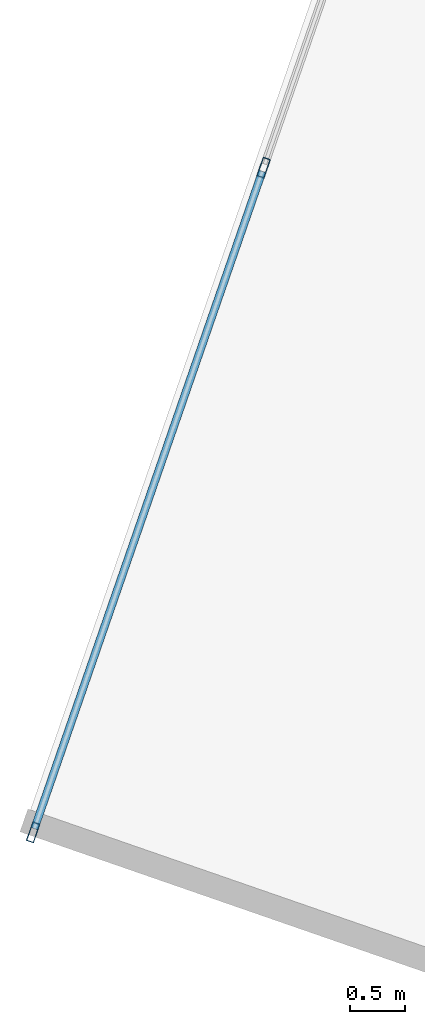
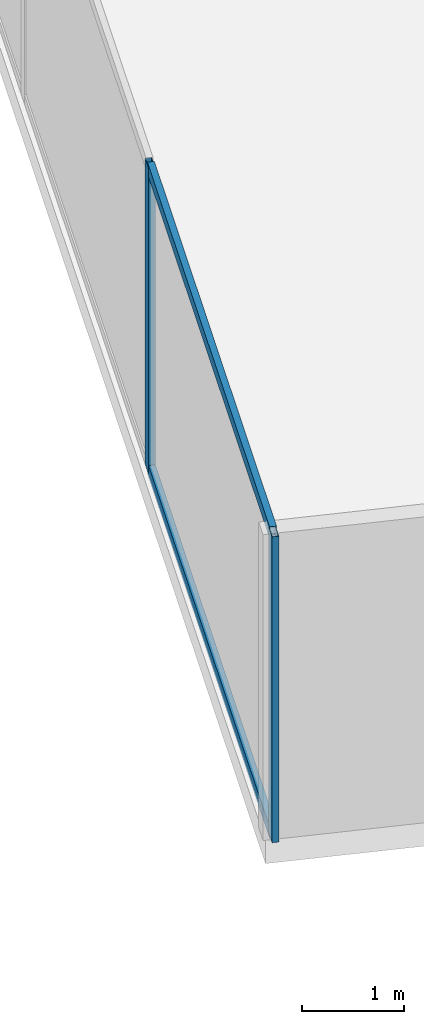
# One storey, part 6 of 27: 4 members, 1 element without a shape of its own.
"""IFC4 building model written with IfcOpenShell, lengths in metres."""

import ifcopenshell
import ifcopenshell.guid

model = None  # the IFC model being written
_history = None  # IfcOwnerHistory: only IFC2X3 demands one
_inside = {}  # id of a spatial element -> (the spatial element, [elements in it])
_under = {}  # id of a project, library or spatial element -> (it, [spatial elements below it])
_declared = {}  # id of a project -> (the project, [libraries it declares])
_typed = {}  # id of a type object -> (the type object, [elements of that type])
_made_of = {}  # id of a material, layer set ... -> (it, [elements and type objects made of it])


def new_model(schema):
    """Start an empty IFC model of exactly this schema.

    Asked for "IFC4X3", IfcOpenShell would pick the latest addendum, in which some entities
    have other attributes; the version numbers below select the first issue.
    IFC2X3 requires an IfcOwnerHistory on every rooted entity: one is made here for all.
    """
    global model, _history
    if schema == "IFC4X3":
        model = ifcopenshell.file(schema_version=(4, 3, 0, 0))
    else:
        model = ifcopenshell.file(schema=schema)
    _inside.clear()
    _under.clear()
    _declared.clear()
    _typed.clear()
    _made_of.clear()
    _history = None
    if model.schema == "IFC2X3":
        org = make("IfcOrganization", Name="unknown")
        user = make(
            "IfcPersonAndOrganization",
            ThePerson=make("IfcPerson", FamilyName="unknown"),
            TheOrganization=org,
        )
        app = make(
            "IfcApplication",
            ApplicationDeveloper=org,
            Version="unknown",
            ApplicationFullName="unknown",
            ApplicationIdentifier="unknown",
        )
        _history = make(
            "IfcOwnerHistory",
            OwningUser=user,
            OwningApplication=app,
            ChangeAction="ADDED",
            CreationDate=0,
        )
    return model


def make(cls, **values):
    """One entity of the class cls with the attributes given. An attribute that is None is left unset."""
    return model.create_entity(
        cls, **{name: value for name, value in values.items() if value is not None}
    )


def rooted(cls, **values):
    """An entity with a GlobalId (a new one), such as an element, a storey or a relation."""
    return make(cls, GlobalId=ifcopenshell.guid.new(), OwnerHistory=_history, **values)


def si_unit(unit_type, name, prefix=None):
    """IfcSIUnit, for example si_unit("LENGTHUNIT", "METRE", prefix="MILLI")."""
    return make("IfcSIUnit", UnitType=unit_type, Prefix=prefix, Name=name)


def assignment(units):
    """IfcUnitAssignment: the units of a project."""
    return None if units is None else make("IfcUnitAssignment", Units=units)


def point(xyz):
    """IfcCartesianPoint."""
    return None if xyz is None else make("IfcCartesianPoint", Coordinates=xyz)


def direction(xyz):
    """IfcDirection."""
    return None if xyz is None else make("IfcDirection", DirectionRatios=xyz)


def frame(location, z_axis=None, x_axis=None):
    """IfcAxis2Placement3D, a coordinate frame: its origin and axes. An axis left out is left unset."""
    return make(
        "IfcAxis2Placement3D",
        Location=point(location),
        Axis=direction(z_axis),
        RefDirection=direction(x_axis),
    )


def frame_2d(location, x_axis=None):
    """IfcAxis2Placement2D, a coordinate frame in the plane: its origin and x axis."""
    return make(
        "IfcAxis2Placement2D", Location=point(location), RefDirection=direction(x_axis)
    )


def origin():
    """The frame at (0, 0, 0) with its axes left unset."""
    return frame((0.0, 0.0, 0.0))


def origin_2d():
    """The frame at (0, 0) in the plane with its x axis left unset."""
    return frame_2d((0.0, 0.0))


def place(relative_to, where):
    """IfcLocalPlacement: puts the frame where relative to a parent placement (None: the world)."""
    return make(
        "IfcLocalPlacement", PlacementRelTo=relative_to, RelativePlacement=where
    )


def context(
    kind, dimensions, precision=None, world=None, true_north=None, identifier=None
):
    """IfcGeometricRepresentationContext, for example the 3D "Model" context."""
    return make(
        "IfcGeometricRepresentationContext",
        ContextIdentifier=identifier,
        ContextType=kind,
        CoordinateSpaceDimension=dimensions,
        Precision=precision,
        WorldCoordinateSystem=world,
        TrueNorth=true_north,
    )


def subcontext(parent, identifier, kind, view, scale=None):
    """IfcGeometricRepresentationSubContext, for example "Body" below "Model"."""
    return make(
        "IfcGeometricRepresentationSubContext",
        ContextIdentifier=identifier,
        ContextType=kind,
        ParentContext=parent,
        TargetScale=scale,
        TargetView=view,
    )


def project(units=None, contexts=None):
    """IfcProject with its units and contexts."""
    return rooted(
        "IfcProject",
        Name="project",
        RepresentationContexts=contexts,
        UnitsInContext=assignment(units),
    )


def spatial(cls, under=None, at=None, **own):
    """A site, building, storey or space (cls), placed at a placement, below another one or the project."""
    s = rooted(cls, ObjectPlacement=at, **own)
    if under is not None:
        _under.setdefault(under.id(), (under, []))[1].append(s)
    return s


def profile(cls, at=None, kind="AREA", **sizes):
    """A parametric profile (cls). Its sizes go by their IFC names, for example OverallWidth=200.0."""
    return make(cls, ProfileType=kind, Position=at, **sizes)


def hollow_rectangle(**sizes):
    """IfcRectangleHollowProfileDef."""
    return profile("IfcRectangleHollowProfileDef", **sizes)


def extrude(swept, where, along, depth):
    """IfcExtrudedAreaSolid: the profile swept, set in the frame where, extruded along a direction by depth."""
    return make(
        "IfcExtrudedAreaSolid",
        SweptArea=swept,
        Position=where,
        ExtrudedDirection=direction(along),
        Depth=depth,
    )


def shape(context_of_items, identifier, shape_type, items):
    """IfcShapeRepresentation: the items that make up one representation, for example the "Body"."""
    return make(
        "IfcShapeRepresentation",
        ContextOfItems=context_of_items,
        RepresentationIdentifier=identifier,
        RepresentationType=shape_type,
        Items=items,
    )


def source(mapping_origin, context_of_items, identifier, shape_type, items):
    """IfcRepresentationMap: a shape defined once, which mapped items show again and again."""
    return make(
        "IfcRepresentationMap",
        MappingOrigin=mapping_origin,
        MappedRepresentation=shape(context_of_items, identifier, shape_type, items),
    )


def transform(
    local_origin,
    x_axis=None,
    y_axis=None,
    z_axis=None,
    scale=None,
    scale2=None,
    scale3=None,
    uniform=True,
):
    """IfcCartesianTransformationOperator3D, or its non-uniform kind. x_axis, y_axis, z_axis: its Axis1, 2, 3."""
    if uniform:
        return make(
            "IfcCartesianTransformationOperator3D",
            Axis1=direction(x_axis),
            Axis2=direction(y_axis),
            LocalOrigin=point(local_origin),
            Scale=scale,
            Axis3=direction(z_axis),
        )
    return make(
        "IfcCartesianTransformationOperator3DnonUniform",
        Axis1=direction(x_axis),
        Axis2=direction(y_axis),
        LocalOrigin=point(local_origin),
        Scale=scale,
        Axis3=direction(z_axis),
        Scale2=scale2,
        Scale3=scale3,
    )


def mapped(mapping_source, mapping_target):
    """IfcMappedItem: shows the shape of a source again, moved by a transform."""
    return make(
        "IfcMappedItem", MappingSource=mapping_source, MappingTarget=mapping_target
    )


def material(Name=None, Category=None):
    """IfcMaterial."""
    return make("IfcMaterial", Name=Name, Category=Category)


def material_profile(
    of_material, cross_section, Name=None, Category=None, Priority=None
):
    """IfcMaterialProfile: a cross section and its material."""
    return make(
        "IfcMaterialProfile",
        Name=Name,
        Material=of_material,
        Profile=cross_section,
        Priority=Priority,
        Category=Category,
    )


def profile_set(profiles, Name=None, composite=None):
    """IfcMaterialProfileSet."""
    return make(
        "IfcMaterialProfileSet",
        Name=Name,
        MaterialProfiles=profiles,
        CompositeProfile=composite,
    )


def made_of(thing, what):
    """Note that an element or type object is made of a material, layer set ...; save() writes the relation."""
    if what is not None:
        _made_of.setdefault(what.id(), (what, []))[1].append(thing)
    return thing


def type_object(cls, material=None, **own):
    """A type object (cls), such as IfcWallType, which elements share."""
    return made_of(rooted(cls, **own), material)


def type_shapes(of_type, sources):
    """Give a type object the sources (RepresentationMaps) that its elements show as mapped items."""
    of_type.RepresentationMaps = sources


def element(
    cls,
    number,
    at=None,
    inside=None,
    cuts=None,
    type_object=None,
    material=None,
    context=None,
    identifier="Body",
    shape_type=None,
    held_by="IfcProductDefinitionShape",
    body=None,
    shapes=None,
    **own,
):
    """One element of the class cls, such as IfcWall. Its Tag is "e" and its number.

    at: its placement. inside: the storey or other place that contains it. cuts: it is an
    opening in that element (IfcRelVoidsElement). A single representation is given by context,
    identifier, shape_type and body (its items); several are given by shapes. held_by: the class
    of the entity that holds the representations. save() writes the other relations.
    """
    e = rooted(cls, Tag="e%d" % number, ObjectPlacement=at, **own)
    if body is not None:
        shapes = [shape(context, identifier, shape_type, body)]
    if shapes is not None:
        e.Representation = make(held_by, Representations=shapes)
    if inside is not None:
        _inside.setdefault(inside.id(), (inside, []))[1].append(e)
    if cuts is not None:
        rooted(
            "IfcRelVoidsElement", RelatingBuildingElement=cuts, RelatedOpeningElement=e
        )
    if type_object is not None:
        _typed.setdefault(type_object.id(), (type_object, []))[1].append(e)
    return made_of(e, material)


def aggregate(whole, parts):
    """IfcRelAggregates: a whole, such as a stair, and the parts it consists of."""
    return rooted("IfcRelAggregates", RelatingObject=whole, RelatedObjects=parts)


def save(model, path):
    """Write the relations noted so far, then the file.

    IfcRelAggregates (storeys below a building ...), IfcRelContainedInSpatialStructure (elements
    in a storey), IfcRelDefinesByType, IfcRelAssociatesMaterial and IfcRelDeclares: one each for
    every whole, place, type object, material and project.
    """
    for whole, parts in _under.values():
        aggregate(whole, parts)
    for where, things in _inside.values():
        rooted(
            "IfcRelContainedInSpatialStructure",
            RelatedElements=things,
            RelatingStructure=where,
        )
    for kind, things in _typed.values():
        rooted("IfcRelDefinesByType", RelatedObjects=things, RelatingType=kind)
    for what, things in _made_of.values():
        rooted("IfcRelAssociatesMaterial", RelatedObjects=things, RelatingMaterial=what)
    for by, libraries in _declared.values():
        rooted("IfcRelDeclares", RelatingContext=by, RelatedDefinitions=libraries)
    model.write(path)


model = new_model("IFC4")

# Units and contexts
model_context = context("Model", 3, precision=1e-05, world=origin(), true_north=direction((0.0, 1.0)))
body_context = subcontext(model_context, "Body", "Model", "MODEL_VIEW")
ifc_project = project(units=[si_unit("LENGTHUNIT", "METRE"), si_unit("AREAUNIT", "SQUARE_METRE"), si_unit("VOLUMEUNIT", "CUBIC_METRE"), si_unit("PLANEANGLEUNIT", "RADIAN"), si_unit("MASSUNIT", "GRAM", prefix="KILO")], contexts=[model_context])

# Site, building, storey
site_placement = place(None, origin())
site = spatial("IfcSite", under=ifc_project, at=site_placement, CompositionType="ELEMENT")
building_placement = place(site_placement, origin())
building = spatial("IfcBuilding", under=site, at=building_placement, Name="Krantzveldt Concourse Tower", CompositionType="ELEMENT")
storey_placement = place(building_placement, frame((0.0, 0.0, 125.60009765625)))
storey = spatial("IfcBuildingStorey", under=building, at=storey_placement, Name="L30", CompositionType="ELEMENT", Elevation=125.60009765625)

# Curtain wall, members
ifc_material = material(Name="Anodised aluminium 6063-T6", Category="aluminium")
curtain_wall_type = type_object("IfcCurtainWallType", Name="CW2", PredefinedType="USERDEFINED", material=ifc_material)
curtain_wall_placement = place(storey_placement, origin())
curtain_wall = element("IfcCurtainWall", 1, at=curtain_wall_placement, inside=storey, type_object=curtain_wall_type, Name="CW-L30-F01", ObjectType="UNITISED CURTAIN WALL", PredefinedType="USERDEFINED")
ifc_material_profile_1 = material_profile(ifc_material, hollow_rectangle(XDim=0.070068359375, YDim=0.179931640625, WallThickness=0.0048828125, at=origin_2d()), Name="Anodised aluminium 6063-T6", Category="aluminium")
ifc_profile_set_1 = profile_set([ifc_material_profile_1], Name="Anodised aluminium 6063-T6 - ALU-MULL 180x70x5")
member_type_1 = type_object("IfcMemberType", Name="CW-MUL-180", PredefinedType="MULLION", material=ifc_profile_set_1)
shared_shape_1 = source(origin(), body_context, "Body", "SweptSolid", [
    extrude(hollow_rectangle(XDim=0.070068359375, YDim=0.179931640625, WallThickness=0.0048828125, at=origin_2d()), origin(), (0.0, 0.0, 1.0), 3.669921875),
])
type_shapes(member_type_1, [shared_shape_1])
member_1_placement = place(storey_placement, frame((9.7392578125, 22.11767578125, 0.0), z_axis=(0.0, 0.0, 1.0), x_axis=(0.944806041446, -0.32763019404, 0.0)))
member_1 = element("IfcMember", 2, at=member_1_placement, type_object=member_type_1, Name="CW-Z12 mullion 6", PredefinedType="MULLION", context=body_context, shape_type="MappedRepresentation", body=[
    mapped(shared_shape_1, transform((0.0, 0.0, 0.0), x_axis=(1.0, 0.0, 0.0), y_axis=(0.0, 1.0, 0.0), z_axis=(0.0, 0.0, 1.0), scale=1.0)),
])
member_2_placement = place(storey_placement, frame((7.632080078125, 16.040771484375, 0.0), z_axis=(0.0, 0.0, 1.0), x_axis=(0.944806041446, -0.32763019404, 0.0)))
member_2 = element("IfcMember", 3, at=member_2_placement, type_object=member_type_1, Name="CW-Z12 mullion 7", PredefinedType="MULLION", context=body_context, shape_type="MappedRepresentation", body=[
    mapped(shared_shape_1, transform((0.0, 0.0, 0.0), x_axis=(1.0, 0.0, 0.0), y_axis=(0.0, 1.0, 0.0), z_axis=(0.0, 0.0, 1.0), scale=1.0)),
])
ifc_material_profile_2 = material_profile(ifc_material, hollow_rectangle(XDim=0.070068359375, YDim=0.139892578125, WallThickness=0.0048828125, at=origin_2d()), Name="Anodised aluminium 6063-T6", Category="aluminium")
ifc_profile_set_2 = profile_set([ifc_material_profile_2], Name="Anodised aluminium 6063-T6 - ALU-TRAN 140x70x5")
member_type_2 = type_object("IfcMemberType", Name="CW-TRN-150", PredefinedType="USERDEFINED", material=ifc_profile_set_2)
shared_shape_2 = source(origin(), body_context, "Body", "SweptSolid", [
    extrude(hollow_rectangle(XDim=0.070068359375, YDim=0.139892578125, WallThickness=0.0048828125, at=origin_2d()), origin(), (0.0, 0.0, 1.0), 6.361572265625),
])
type_shapes(member_type_2, [shared_shape_2])
member_3_placement = place(storey_placement, frame((9.727783203125, 22.08447265625, 0.034912109375), z_axis=(-0.327625894764, -0.944807532294, 0.0), x_axis=(0.944807532294, -0.327625894764, 0.0)))
member_3 = element("IfcMember", 4, at=member_3_placement, type_object=member_type_2, Name="CW-Z12 transom 6.1", ObjectType="TRANSOM", PredefinedType="USERDEFINED", context=body_context, shape_type="MappedRepresentation", body=[
    mapped(shared_shape_2, transform((0.0, 0.0, 0.0), x_axis=(1.0, 0.0, 0.0), y_axis=(0.0, 1.0, 0.0), z_axis=(0.0, 0.0, 1.0), scale=1.0)),
])
member_4_placement = place(storey_placement, frame((9.727783203125, 22.08447265625, 3.635009765625), z_axis=(-0.327625894764, -0.944807532294, 0.0), x_axis=(0.944807532294, -0.327625894764, 0.0)))
member_4 = element("IfcMember", 5, at=member_4_placement, type_object=member_type_2, Name="CW-Z12 transom 6.2", ObjectType="TRANSOM", PredefinedType="USERDEFINED", context=body_context, shape_type="MappedRepresentation", body=[
    mapped(shared_shape_2, transform((0.0, 0.0, 0.0), x_axis=(1.0, 0.0, 0.0), y_axis=(0.0, 1.0, 0.0), z_axis=(0.0, 0.0, 1.0), scale=1.0)),
])
aggregate(curtain_wall, [member_1, member_2, member_3, member_4])

save(model, "model.ifc")
